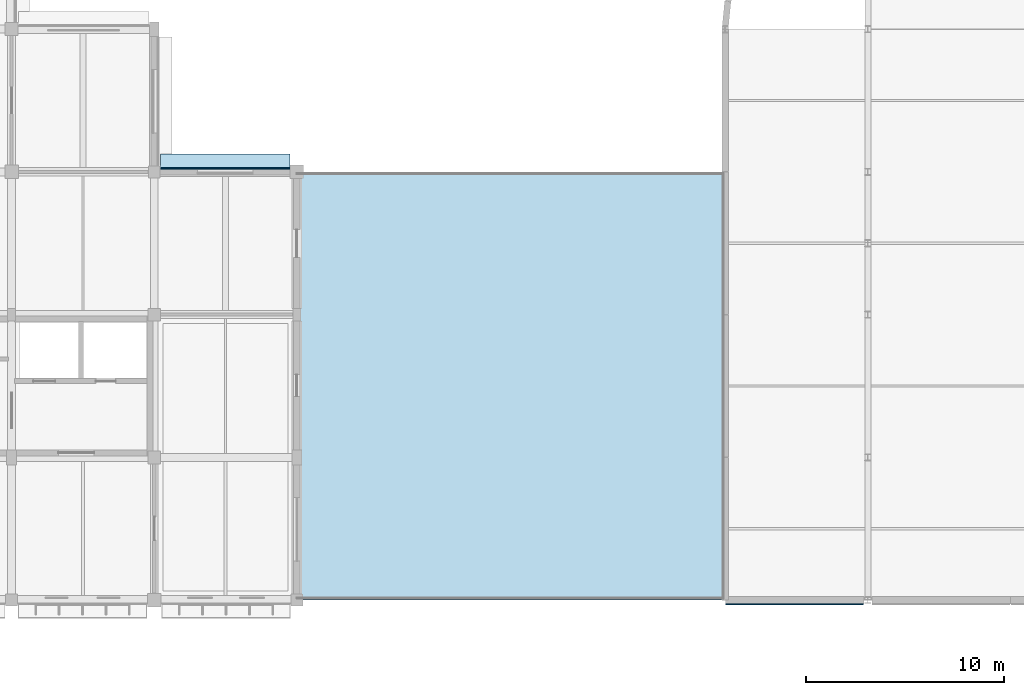
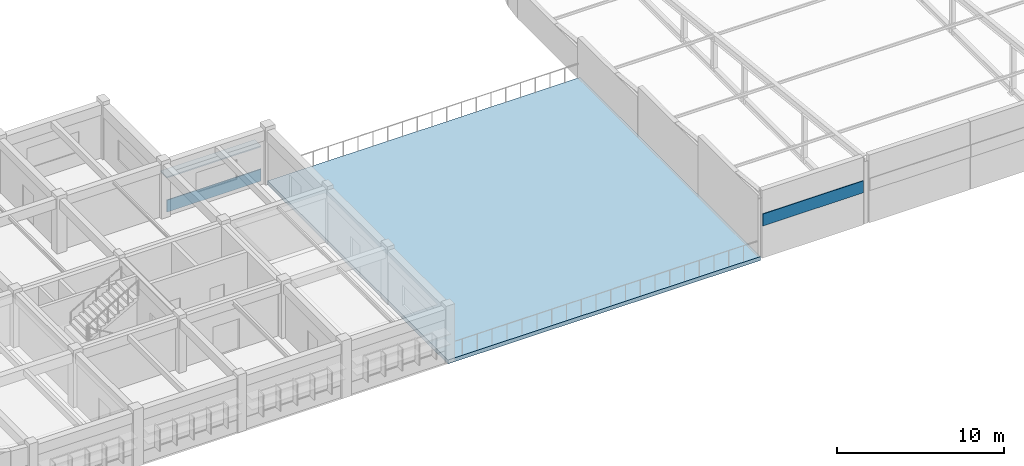
# One storey, part 67 of 103: 3 plates, 1 slab.
"""IFC4 building model written with IfcOpenShell, lengths in metres."""

from ifc_helpers import new_model, si_unit, direction, frame, origin, origin_2d, place, context, subcontext, project, spatial, polyline, rectangle, outline, extrude, material, layer, layer_set, type_object, element, save


model = new_model("IFC4")

# Units and contexts
model_context = context("Model", 3, precision=1e-05, world=origin(), true_north=direction((0.0, 1.0)))
body_context = subcontext(model_context, "Body", "Model", "MODEL_VIEW")
ifc_project = project(units=[si_unit("LENGTHUNIT", "METRE"), si_unit("AREAUNIT", "SQUARE_METRE"), si_unit("VOLUMEUNIT", "CUBIC_METRE"), si_unit("PLANEANGLEUNIT", "RADIAN"), si_unit("MASSUNIT", "GRAM", prefix="KILO")], contexts=[model_context])

# Site, building, storey
site_placement = place(None, origin())
site = spatial("IfcSite", under=ifc_project, at=site_placement, CompositionType="ELEMENT")
building_placement = place(site_placement, origin())
building = spatial("IfcBuilding", under=site, at=building_placement, Name="Thalmaran Polytechnic", CompositionType="ELEMENT")
storey_placement = place(building_placement, frame((0.0, 0.0, 14.39990234375)))
storey = spatial("IfcBuildingStorey", under=building, at=storey_placement, Name="L03", CompositionType="ELEMENT", Elevation=14.39990234375)

# Plates
ifc_material_1 = material(Name="Anodised aluminium spandrel band", Category="aluminium")
ifc_layer_1 = layer(ifc_material_1, 0.054931640625, Name="Anodised aluminium spandrel band")
ifc_layer_set_1 = layer_set([ifc_layer_1], Name="Anodised aluminium spandrel band")
plate_type_1 = type_object("IfcPlateType", Name="PT-BD01", PredefinedType="SHEET", material=ifc_layer_set_1)
plate_1_placement = place(storey_placement, frame((61.10498046875, -0.2099609375, 2.360107421875), z_axis=(0.0, 0.0, 1.0), x_axis=(1.0, 0.0, 0.0)))
element("IfcPlate", 1, at=plate_1_placement, inside=storey, type_object=plate_type_1, Name="Lecture Auditorium Acoustic Fascia Band 08", PredefinedType="SHEET", context=body_context, shape_type="SweptSolid", body=[
    extrude(rectangle(XDim=6.949951171875, YDim=0.054931640625, at=origin_2d()), origin(), (0.0, 0.0, 1.0), 0.8798828125),
])
plate_2_placement = place(storey_placement, frame((32.3798828125, 21.77001953125, 0.020263671875), z_axis=(0.0, 0.0, 1.0), x_axis=(1.0, 0.0, 0.0)))
element("IfcPlate", 2, at=plate_2_placement, inside=storey, type_object=plate_type_1, Name="Streamline Horizontal Spandrel Band L03-100", PredefinedType="SHEET", context=body_context, shape_type="SweptSolid", body=[
    extrude(rectangle(XDim=6.52001953125, YDim=0.054931640625, at=origin_2d()), origin(), (0.0, 0.0, 1.0), 0.8798828125),
])
ifc_material_2 = material(Name="Anodised aluminium sun-hood eyebrow", Category="aluminium")
ifc_layer_2 = layer(ifc_material_2, 0.0849609375, Name="Anodised aluminium sun-hood eyebrow")
ifc_layer_set_2 = layer_set([ifc_layer_2], Name="Anodised aluminium sun-hood eyebrow")
plate_type_2 = type_object("IfcPlateType", Name="PT-EB01", PredefinedType="SHEET", material=ifc_layer_set_2)
plate_3_placement = place(storey_placement, frame((32.3798828125, 22.114990234375, 2.517578125), z_axis=(0.0, 0.0, 1.0), x_axis=(1.0, 0.0, 0.0)))
element("IfcPlate", 3, at=plate_3_placement, inside=storey, type_object=plate_type_2, Name="Streamline Sun-Hood Eyebrow L03-100", PredefinedType="SHEET", context=body_context, shape_type="SweptSolid", body=[
    extrude(rectangle(XDim=6.52001953125, YDim=0.760009765625, at=origin_2d()), origin(), (0.0, 0.0, 1.0), 0.0849609375),
])

# Slab
ifc_material_3 = material(Name="Concrete C40/50", Category="concrete")
ifc_layer_3 = layer(ifc_material_3, 0.284912109375, Name="Concrete C40/50")
ifc_layer_set_3 = layer_set([ifc_layer_3], Name="Concrete C40/50")
slab_type = type_object("IfcSlabType", Name="SL-TR01", PredefinedType="FLOOR", material=ifc_layer_set_3)
slab_placement = place(storey_placement, frame((0.0, 0.0, -0.284912109375)))
element("IfcSlab", 4, at=slab_placement, inside=storey, type_object=slab_type, Name="V1 L03 Outdoor Terrace Slab", PredefinedType="FLOOR", context=body_context, shape_type="SweptSolid", body=[
    extrude(outline(polyline([(36.0, 14.39990234375), (36.0, 21.60009765625), (43.199951171875, 21.60009765625), (50.39990234375, 21.60009765625), (57.60009765625, 21.60009765625), (57.60009765625, 14.39990234375), (57.60009765625, 7.199951171875), (57.60009765625, 0.0), (50.39990234375, 0.0), (43.199951171875, 0.0), (36.0, 0.0), (36.0, 7.199951171875), (36.0, 14.39990234375)])), origin(), (0.0, 0.0, 1.0), 0.284912109375),
])

save(model, "model.ifc")
